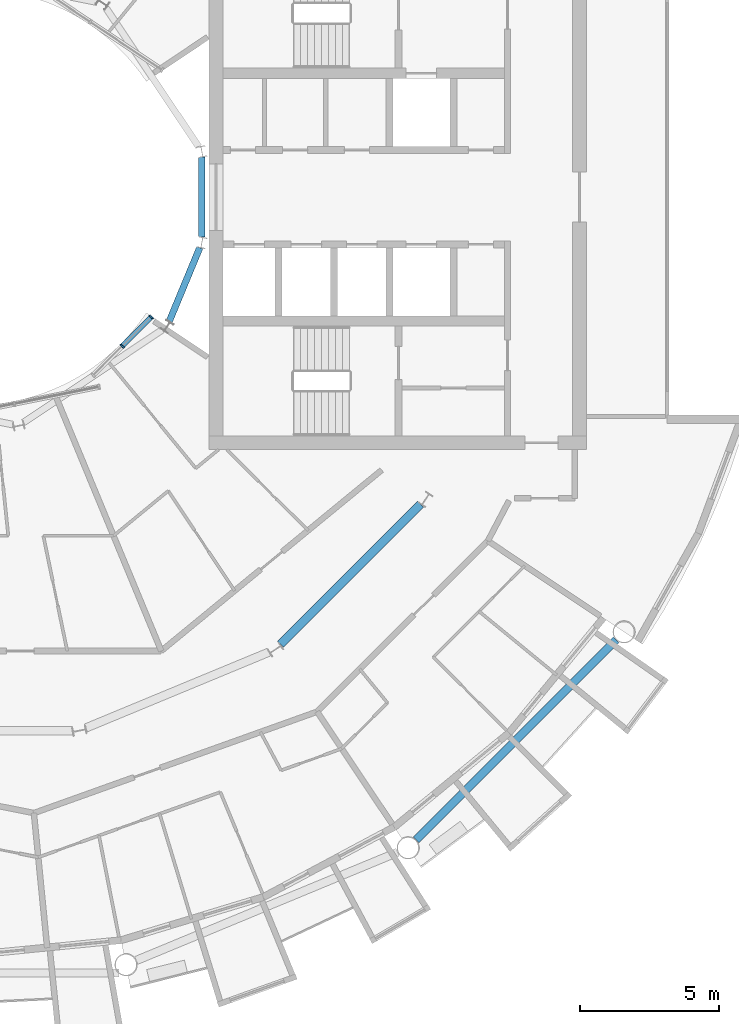
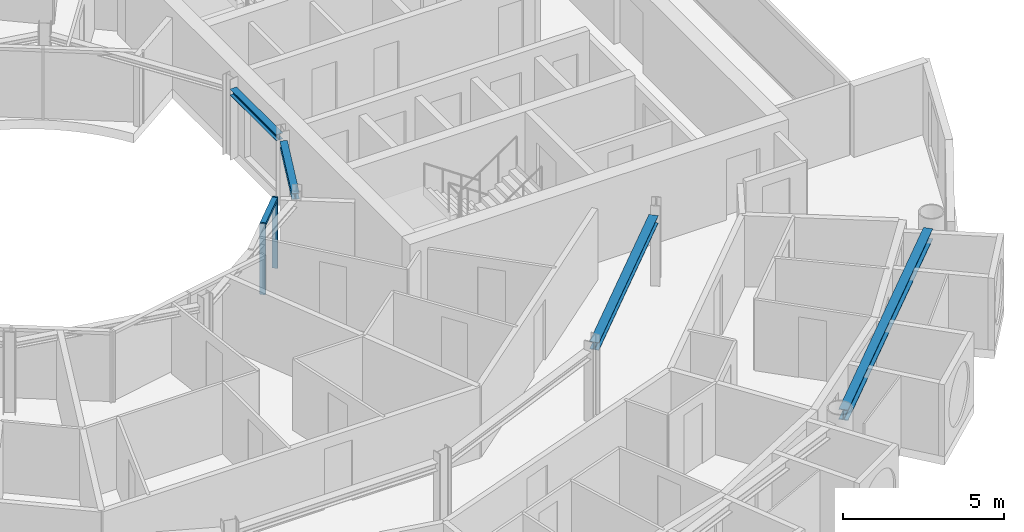
# One storey, part 7 of 28: 4 beams, 3 members, 1 element without a shape of its own.
"""IFC4 building model written with IfcOpenShell, lengths in metres."""

from ifc_helpers import new_model, si_unit, direction, frame, origin, origin_2d, place, context, subcontext, project, spatial, rectangle, i_section, extrude, material, layer, layer_set, material_profile, profile_set, type_object, element, aggregate, save


model = new_model("IFC4")

# Units and contexts
model_context = context("Model", 3, precision=1e-05, world=origin(), true_north=direction((0.0, 1.0)))
body_context = subcontext(model_context, "Body", "Model", "MODEL_VIEW")
ifc_project = project(units=[si_unit("LENGTHUNIT", "METRE"), si_unit("AREAUNIT", "SQUARE_METRE"), si_unit("VOLUMEUNIT", "CUBIC_METRE"), si_unit("PLANEANGLEUNIT", "RADIAN"), si_unit("MASSUNIT", "GRAM", prefix="KILO")], contexts=[model_context])

# Site, building, storey
site_placement = place(None, origin())
site = spatial("IfcSite", under=ifc_project, at=site_placement, CompositionType="ELEMENT")
building_placement = place(site_placement, origin())
building = spatial("IfcBuilding", under=site, at=building_placement, Name="Maasbend Ring Residences", CompositionType="ELEMENT")
storey_placement = place(building_placement, frame((0.0, 0.0, 173.800048828125)))
storey = spatial("IfcBuildingStorey", under=building, at=storey_placement, Name="L50", CompositionType="ELEMENT", Elevation=173.800048828125)

# Curtain wall, members
ifc_material_1 = material(Name="Aluminium and clear glass", Category="aluminium")
ifc_layer = layer(ifc_material_1, 0.179931640625)
ifc_layer_set = layer_set([ifc_layer], Name="CW-W")
curtain_wall_type = type_object("IfcCurtainWallType", Name="CW-W", PredefinedType="NOTDEFINED", material=ifc_layer_set)
curtain_wall_placement = place(storey_placement, origin())
curtain_wall = element("IfcCurtainWall", 1, at=curtain_wall_placement, inside=storey, type_object=curtain_wall_type, Name="Well curtain wall S3", PredefinedType="NOTDEFINED")
ifc_material_2 = material(Name="Aluminium 6063-T6", Category="aluminium")
ifc_material_profile_1 = material_profile(ifc_material_2, rectangle(XDim=0.179931640625, YDim=0.06005859375, at=origin_2d()), Name="AL 180x60")
ifc_profile_set_1 = profile_set([ifc_material_profile_1], Name="Aluminium 6063-T6")
member_type_1 = type_object("IfcMemberType", Name="CWM-W", PredefinedType="MULLION", material=ifc_profile_set_1)
member_1_placement = place(storey_placement, frame((5.366943359375, -5.366943359375, 0.0), z_axis=(0.0, 0.0, 1.0), x_axis=(-0.707106781187, 0.707106781187, 0.0)))
member_1 = element("IfcMember", 2, at=member_1_placement, type_object=member_type_1, Name="Mullion well face", PredefinedType="MULLION", context=body_context, shape_type="SweptSolid", body=[
    extrude(rectangle(XDim=0.179931640625, YDim=0.06005859375, at=origin_2d()), origin(), (0.0, 0.0, 1.0), 2.699951171875),
])
member_2_placement = place(storey_placement, frame((6.413330078125, -4.320556640625, 0.0), z_axis=(0.0, 0.0, 1.0), x_axis=(-0.707106781187, 0.707106781187, 0.0)))
member_2 = element("IfcMember", 3, at=member_2_placement, type_object=member_type_1, Name="Mullion well face", PredefinedType="MULLION", context=body_context, shape_type="SweptSolid", body=[
    extrude(rectangle(XDim=0.179931640625, YDim=0.06005859375, at=origin_2d()), origin(), (0.0, 0.0, 1.0), 2.699951171875),
])
ifc_material_3 = material(Name="Aluminium 6063-T6", Category="aluminium")
ifc_material_profile_2 = material_profile(ifc_material_3, rectangle(XDim=0.179931640625, YDim=0.1201171875, at=origin_2d()), Name="AL 180x120")
ifc_profile_set_2 = profile_set([ifc_material_profile_2], Name="Aluminium 6063-T6")
member_type_2 = type_object("IfcMemberType", Name="CWT-W", PredefinedType="USERDEFINED", material=ifc_profile_set_2)
member_3_placement = place(storey_placement, frame((5.38818359375, -5.345703125, 2.639892578125), z_axis=(0.707106781187, 0.707106781187, 0.0), x_axis=(-0.707106781187, 0.707106781187, 0.0)))
member_3 = element("IfcMember", 4, at=member_3_placement, type_object=member_type_2, Name="Transom well face", ObjectType="TRANSOM", PredefinedType="USERDEFINED", context=body_context, shape_type="SweptSolid", body=[
    extrude(rectangle(XDim=0.179931640625, YDim=0.1201171875, at=origin_2d()), origin(), (0.0, 0.0, 1.0), 1.419677734375),
])
aggregate(curtain_wall, [member_1, member_2, member_3])

# Beams
ifc_material_4 = material(Name="Steel S355J2", Category="steel")
ifc_material_profile_3 = material_profile(ifc_material_4, i_section(OverallWidth=0.300048828125, OverallDepth=0.2900390625, WebThickness=0.008544921875, FlangeThickness=0.013916015625, FilletRadius=0.027099609375, at=origin_2d()), Name="HEA 300")
ifc_profile_set_3 = profile_set([ifc_material_profile_3], Name="Steel S355J2")
beam_type_1 = type_object("IfcBeamType", Name="Corridor ring beam HEA 300", PredefinedType="BEAM", material=ifc_profile_set_3)
beam_1_placement = place(storey_placement, frame((11.0693359375, -16.11669921875, 2.554931640625), z_axis=(0.707106781187, 0.707106781187, 0.0), x_axis=(-0.707106781187, 0.707106781187, 0.0)))
element("IfcBeam", 5, at=beam_1_placement, inside=storey, type_object=beam_type_1, Name="Corridor ring beam", PredefinedType="BEAM", context=body_context, shape_type="SweptSolid", body=[
    extrude(i_section(OverallWidth=0.300048828125, OverallDepth=0.2900390625, WebThickness=0.008544921875, FlangeThickness=0.013916015625, FilletRadius=0.027099609375, at=origin_2d()), origin(), (0.0, 0.0, 1.0), 7.137939453125),
])
ifc_material_5 = material(Name="Steel S355J2", Category="steel")
ifc_material_profile_4 = material_profile(ifc_material_5, i_section(OverallWidth=0.300048828125, OverallDepth=0.39990234375, WebThickness=0.013427734375, FlangeThickness=0.02392578125, FilletRadius=0.027099609375, at=origin_2d()), Name="HEB 400")
ifc_profile_set_4 = profile_set([ifc_material_profile_4], Name="Steel S355J2")
beam_type_2 = type_object("IfcBeamType", Name="Spandrel ring beam HEB 400", PredefinedType="SPANDREL", material=ifc_profile_set_4)
beam_2_placement = place(storey_placement, frame((15.95458984375, -23.159912109375, 2.5), z_axis=(0.707106781187, 0.707106781187, 0.0), x_axis=(-0.707106781187, 0.707106781187, 0.0)))
element("IfcBeam", 6, at=beam_2_placement, inside=storey, type_object=beam_type_2, Name="Spandrel ring beam", PredefinedType="SPANDREL", context=body_context, shape_type="SweptSolid", body=[
    extrude(i_section(OverallWidth=0.300048828125, OverallDepth=0.39990234375, WebThickness=0.013427734375, FlangeThickness=0.02392578125, FilletRadius=0.027099609375, at=origin_2d()), origin(), (0.0, 0.0, 1.0), 10.18994140625),
])
ifc_material_6 = material(Name="Steel S355J2", Category="steel")
ifc_material_profile_5 = material_profile(ifc_material_6, i_section(OverallWidth=0.239990234375, OverallDepth=0.22998046875, WebThickness=0.007568359375, FlangeThickness=0.011962890625, FilletRadius=0.02099609375, at=origin_2d()), Name="HEA 240")
ifc_profile_set_5 = profile_set([ifc_material_profile_5], Name="Steel S355J2")
beam_type_3 = type_object("IfcBeamType", Name="Well edge beam HEA 240", PredefinedType="BEAM", material=ifc_profile_set_5)
for number, where, z_axis, x_axis, name in (
    (7, (7.060302734375, -4.483154296875, 2.5849609375), (0.382748596828, 0.923852537814, 0.0), (-0.923852537814, 0.382748596828, 0.0), "Well edge beam"),
    (8, (8.238525390625, -1.43994140625, 2.5849609375), (0.0, 1.0, 0.0), (-1.0, 0.0, 0.0), "Well edge beam"),
):
    element("IfcBeam", number, at=place(storey_placement, frame(where, z_axis=z_axis, x_axis=x_axis)), inside=storey, type_object=beam_type_3, Name=name, PredefinedType="BEAM", context=body_context, shape_type="SweptSolid", body=[
        extrude(i_section(OverallWidth=0.239990234375, OverallDepth=0.22998046875, WebThickness=0.007568359375, FlangeThickness=0.011962890625, FilletRadius=0.02099609375, at=origin_2d()), origin(), (0.0, 0.0, 1.0), 2.8798828125),
    ])

save(model, "model.ifc")
